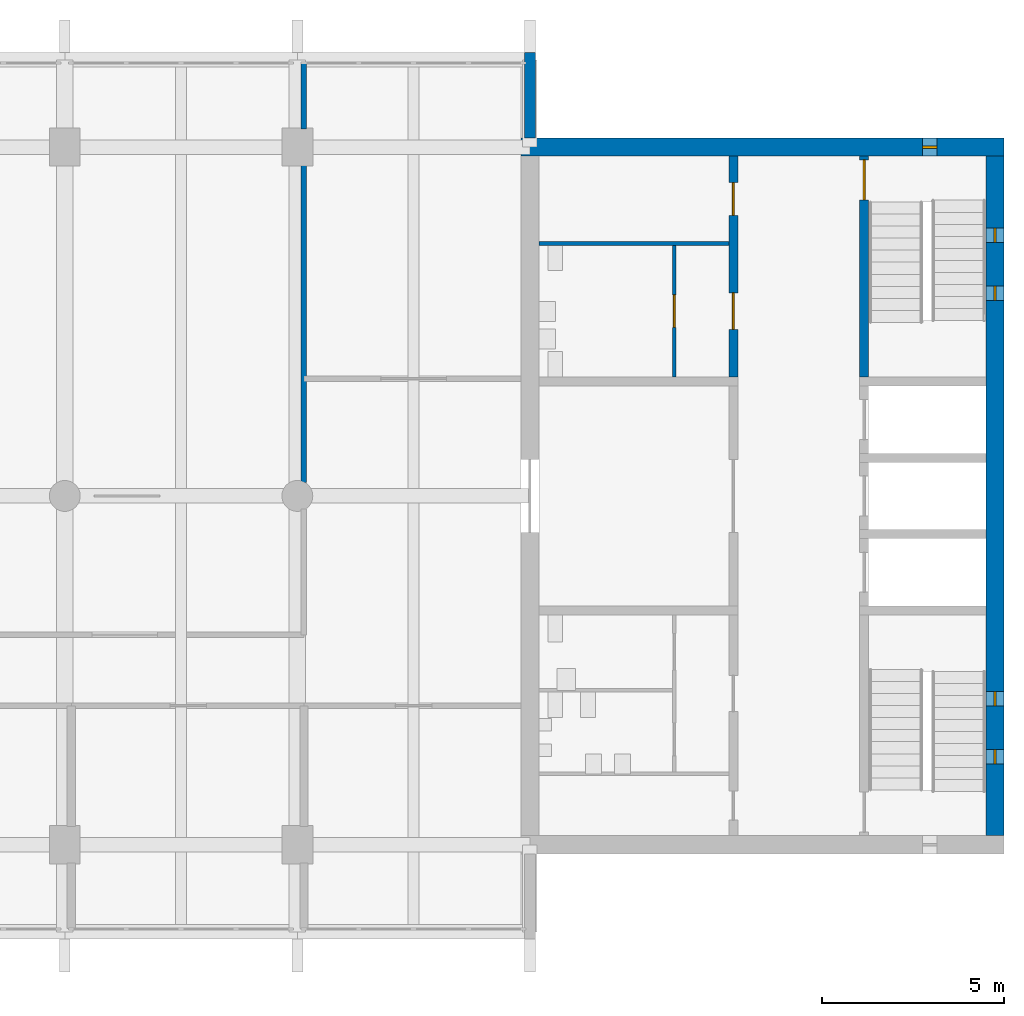
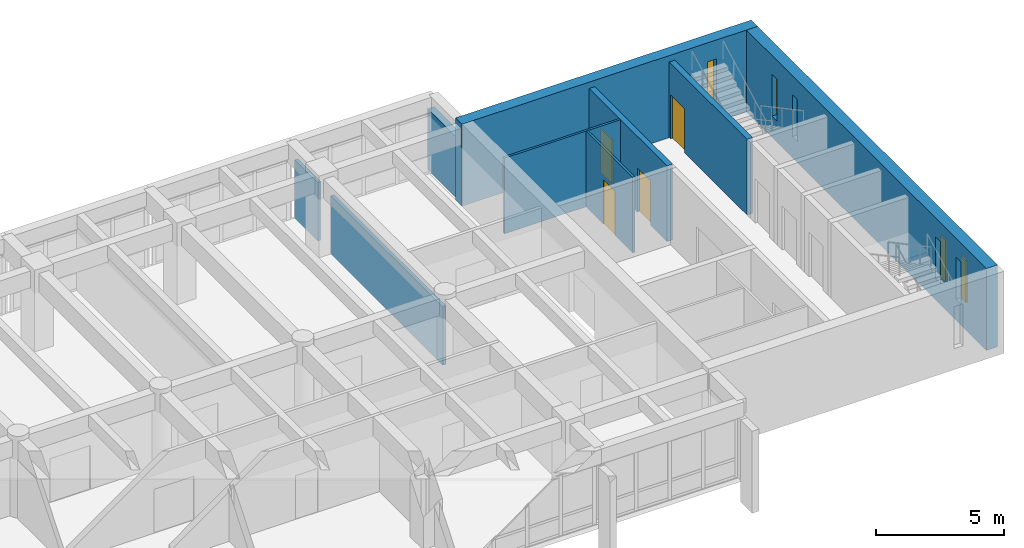
# One storey, part 12 of 15: 9 walls, 5 windows, 4 doors, 9 openings.
"""IFC4 building model written with IfcOpenShell, lengths in metres."""

from ifc_helpers import new_model, si_unit, direction, frame, frame_2d, origin, place, context, subcontext, project, spatial, rectangle, extrude, material, layer, layer_set, type_object, element, fill, save


model = new_model("IFC4")

# Units and contexts
model_context = context("Model", 3, precision=1e-05, world=origin(), true_north=direction((0.0, 1.0)))
body_context = subcontext(model_context, "Body", "Model", "MODEL_VIEW")
ifc_project = project(units=[si_unit("LENGTHUNIT", "METRE"), si_unit("AREAUNIT", "SQUARE_METRE"), si_unit("VOLUMEUNIT", "CUBIC_METRE"), si_unit("PLANEANGLEUNIT", "RADIAN"), si_unit("MASSUNIT", "GRAM", prefix="KILO")], contexts=[model_context])

# Site, building, storey
site_placement = place(None, origin())
site = spatial("IfcSite", under=ifc_project, at=site_placement, CompositionType="ELEMENT")
building_placement = place(site_placement, origin())
building = spatial("IfcBuilding", under=site, at=building_placement, Name="Fogon Plaza Fire Station and Headquarters Tower", CompositionType="ELEMENT")
storey_placement = place(building_placement, frame((0.0, 0.0, 56.10009765625)))
storey = spatial("IfcBuildingStorey", under=building, at=storey_placement, Name="L14", CompositionType="ELEMENT", Elevation=56.10009765625)

# Wall, opening, door
ifc_material_1 = material(Name="Concrete C40", Category="concrete")
ifc_layer_1 = layer(ifc_material_1, 0.25)
ifc_layer_set_1 = layer_set([ifc_layer_1], Name="Concrete C40")
wall_type_1 = type_object("IfcWallType", Name="Core Wall RC 250", PredefinedType="SOLIDWALL", material=ifc_layer_set_1)
wall_1_placement = place(storey_placement, frame((73.199951171875, 46.47509765625, 0.0), z_axis=(0.0, 0.0, 1.0), x_axis=(0.0, 1.0, 0.0)))
wall_1 = element("IfcWall", 1, at=wall_1_placement, inside=storey, type_object=wall_type_1, Name="Core B shaft wall", PredefinedType="SOLIDWALL", context=body_context, shape_type="SweptSolid", body=[
    extrude(rectangle(XDim=6.074951171875, YDim=0.25, at=frame_2d((3.03759765625, 0.0))), origin(), (0.0, 0.0, 1.0), 3.599853515625),
])
opening_1_placement = place(wall_1_placement, frame((4.875, 0.0, 0.0)))
opening_1 = element("IfcOpeningElement", 2, at=opening_1_placement, cuts=wall_1, Name="Opening L14-D16", PredefinedType="OPENING", context=body_context, shape_type="SweptSolid", body=[
    extrude(rectangle(XDim=1.10009765625, YDim=2.10009765625, at=frame_2d((0.550048828125, 1.050048828125))), frame((0.0, 0.135009765625, 0.0), z_axis=(0.0, -1.0, 0.0), x_axis=(1.0, 0.0, 0.0)), (0.0, 0.0, 1.0), 0.27001953125),
])
ifc_material_2 = material(Name="Steel Fire Door Leaf", Category="steel")
door_type_1 = type_object("IfcDoorType", Name="Stair Door Single 1100x2100", OperationType="SINGLE_SWING_LEFT", PredefinedType="DOOR", material=ifc_material_2)
door_1_placement = place(opening_1_placement, frame((1.10009765625, 0.0, 0.0), z_axis=(0.0, 0.0, 1.0), x_axis=(-1.0, 0.0, 0.0)))
door_1 = element("IfcDoor", 3, at=door_1_placement, inside=storey, type_object=door_type_1, Name="Stair door ST4", OperationType="SINGLE_SWING_LEFT", OverallHeight=2.10009765625, OverallWidth=1.10009765625, PredefinedType="DOOR", context=body_context, shape_type="SweptSolid", body=[
    extrude(rectangle(XDim=1.10009765625, YDim=2.10009765625, at=frame_2d((0.550048828125, 1.050048828125))), frame((0.0, 0.02490234375, 0.0), z_axis=(0.0, -1.0, 0.0), x_axis=(1.0, 0.0, 0.0)), (0.0, 0.0, 1.0), 0.050048828125),
])
fill(opening_1, door_1)

# Wall, openings, doors
wall_2_placement = place(storey_placement, frame((69.60009765625, 46.47509765625, 0.0), z_axis=(0.0, 0.0, 1.0), x_axis=(0.0, 1.0, 0.0)))
wall_2 = element("IfcWall", 4, at=wall_2_placement, inside=storey, type_object=wall_type_1, Name="Core B shaft wall", PredefinedType="SOLIDWALL", context=body_context, shape_type="SweptSolid", body=[
    extrude(rectangle(XDim=6.074951171875, YDim=0.25, at=frame_2d((3.03759765625, 0.0))), origin(), (0.0, 0.0, 1.0), 3.599853515625),
])
opening_2_placement = place(wall_2_placement, frame((1.3125, 0.0, 0.0)))
opening_2 = element("IfcOpeningElement", 5, at=opening_2_placement, cuts=wall_2, Name="Opening L14-D26", PredefinedType="OPENING", context=body_context, shape_type="SweptSolid", body=[
    extrude(rectangle(XDim=1.0, YDim=2.10009765625, at=frame_2d((0.5, 1.050048828125))), frame((0.0, 0.135009765625, 0.0), z_axis=(0.0, -1.0, 0.0), x_axis=(1.0, 0.0, 0.0)), (0.0, 0.0, 1.0), 0.27001953125),
])
opening_3_placement = place(wall_2_placement, frame((4.449951171875, 0.0, 0.0)))
opening_3 = element("IfcOpeningElement", 6, at=opening_3_placement, cuts=wall_2, Name="Opening L14-D28", PredefinedType="OPENING", context=body_context, shape_type="SweptSolid", body=[
    extrude(rectangle(XDim=0.89990234375, YDim=2.10009765625, at=frame_2d((0.449951171875, 1.050048828125))), frame((0.0, 0.135009765625, 0.0), z_axis=(0.0, -1.0, 0.0), x_axis=(1.0, 0.0, 0.0)), (0.0, 0.0, 1.0), 0.27001953125),
])
ifc_material_3 = material(Name="Steel Fire Door Leaf", Category="steel")
door_type_2 = type_object("IfcDoorType", Name="Riser Single 900x2100", OperationType="SINGLE_SWING_LEFT", PredefinedType="DOOR", material=ifc_material_3)
door_2_placement = place(opening_3_placement, origin())
door_2 = element("IfcDoor", 7, at=door_2_placement, inside=storey, type_object=door_type_2, Name="Riser room B door", OperationType="SINGLE_SWING_LEFT", OverallHeight=2.10009765625, OverallWidth=0.89990234375, PredefinedType="DOOR", context=body_context, shape_type="SweptSolid", body=[
    extrude(rectangle(XDim=0.89990234375, YDim=2.10009765625, at=frame_2d((0.449951171875, 1.050048828125))), frame((0.0, 0.02490234375, 0.0), z_axis=(0.0, -1.0, 0.0), x_axis=(1.0, 0.0, 0.0)), (0.0, 0.0, 1.0), 0.050048828125),
])
fill(opening_3, door_2)
ifc_material_4 = material(Name="Timber fire door", Category="wood")
door_type_3 = type_object("IfcDoorType", Name="WC Lobby Single 1000x2100", OperationType="SINGLE_SWING_LEFT", PredefinedType="DOOR", material=ifc_material_4)
door_3_placement = place(opening_2_placement, origin())
door_3 = element("IfcDoor", 8, at=door_3_placement, inside=storey, type_object=door_type_3, Name="Women's WC lobby B door", OperationType="SINGLE_SWING_LEFT", OverallHeight=2.10009765625, OverallWidth=1.0, PredefinedType="DOOR", context=body_context, shape_type="SweptSolid", body=[
    extrude(rectangle(XDim=1.0, YDim=2.10009765625, at=frame_2d((0.5, 1.050048828125))), frame((0.0, 0.02490234375, 0.0), z_axis=(0.0, -1.0, 0.0), x_axis=(1.0, 0.0, 0.0)), (0.0, 0.0, 1.0), 0.050048828125),
])
fill(opening_2, door_3)

# Wall
ifc_material_5 = material(Name="Concrete C40", Category="concrete")
ifc_layer_2 = layer(ifc_material_5, 0.300048828125)
ifc_layer_set_2 = layer_set([ifc_layer_2], Name="Concrete C40")
wall_type_2 = type_object("IfcWallType", Name="Fair-faced RC Return Panel 300", PredefinedType="SOLIDWALL", material=ifc_layer_set_2)
wall_3_placement = place(storey_placement, frame((64.0, 53.050048828125, 0.0), z_axis=(0.0, 0.0, 1.0), x_axis=(0.0, 1.0, 0.0)))
element("IfcWall", 9, at=wall_3_placement, inside=storey, type_object=wall_type_2, Name="Bar end return EN L14", PredefinedType="SOLIDWALL", context=body_context, shape_type="SweptSolid", body=[
    extrude(rectangle(XDim=2.349853515625, YDim=0.300048828125, at=frame_2d((1.1748046875, 0.0))), origin(), (0.0, 0.0, 1.0), 2.8798828125),
])

# Wall, opening, door
ifc_material_6 = material(Name="Blockwork", Category="masonry")
ifc_layer_3 = layer(ifc_material_6, 0.10009765625)
ifc_layer_set_3 = layer_set([ifc_layer_3], Name="Blockwork")
wall_type_3 = type_object("IfcWallType", Name="Partition Blockwork 100", PredefinedType="PARTITIONING", material=ifc_layer_set_3)
wall_4_placement = place(storey_placement, frame((67.97509765625, 46.47509765625, 0.0), z_axis=(0.0, 0.0, 1.0), x_axis=(0.0, 1.0, 0.0)))
wall_4 = element("IfcWall", 10, at=wall_4_placement, inside=storey, type_object=wall_type_3, Name="WC block partition", PredefinedType="PARTITIONING", context=body_context, shape_type="SweptSolid", body=[
    extrude(rectangle(XDim=3.625, YDim=0.10009765625, at=frame_2d((1.8125, 0.0))), origin(), (0.0, 0.0, 1.0), 3.599853515625),
])
opening_4_placement = place(wall_4_placement, frame((1.362548828125, 0.0, 0.0)))
opening_4 = element("IfcOpeningElement", 11, at=opening_4_placement, cuts=wall_4, Name="Opening L14-D27", PredefinedType="OPENING", context=body_context, shape_type="SweptSolid", body=[
    extrude(rectangle(XDim=0.89990234375, YDim=2.10009765625, at=frame_2d((0.449951171875, 1.050048828125))), frame((0.0, 0.06005859375, 0.0), z_axis=(0.0, -1.0, 0.0), x_axis=(1.0, 0.0, 0.0)), (0.0, 0.0, 1.0), 0.1201171875),
])
ifc_material_7 = material(Name="Timber Door Leaf", Category="wood")
door_type_4 = type_object("IfcDoorType", Name="WC Single 900x2100", OperationType="SINGLE_SWING_LEFT", PredefinedType="DOOR", material=ifc_material_7)
door_4_placement = place(opening_4_placement, origin())
door_4 = element("IfcDoor", 12, at=door_4_placement, inside=storey, type_object=door_type_4, Name="Women's WC B door", OperationType="SINGLE_SWING_RIGHT", OverallHeight=2.10009765625, OverallWidth=0.89990234375, PredefinedType="DOOR", context=body_context, shape_type="SweptSolid", body=[
    extrude(rectangle(XDim=0.89990234375, YDim=2.10009765625, at=frame_2d((0.449951171875, 1.050048828125))), frame((0.0, 0.02490234375, 0.0), z_axis=(0.0, -1.0, 0.0), x_axis=(1.0, 0.0, 0.0)), (0.0, 0.0, 1.0), 0.050048828125),
])
fill(opening_4, door_4)

# Wall
ifc_material_8 = material(Name="Blockwork", Category="masonry")
ifc_layer_4 = layer(ifc_material_8, 0.10009765625)
ifc_layer_set_4 = layer_set([ifc_layer_4], Name="Blockwork")
wall_type_4 = type_object("IfcWallType", Name="Riser Partition Blockwork 100", PredefinedType="PARTITIONING", material=ifc_layer_set_4)
wall_5_placement = place(storey_placement, frame((69.47509765625, 50.14990234375, 0.0), z_axis=(0.0, 0.0, 1.0), x_axis=(-1.0, 0.0, 0.0)))
element("IfcWall", 13, at=wall_5_placement, inside=storey, type_object=wall_type_4, Name="Riser room partition", PredefinedType="PARTITIONING", context=body_context, shape_type="SweptSolid", body=[
    extrude(rectangle(XDim=5.22509765625, YDim=0.10009765625, at=frame_2d((2.612548828125, 0.0))), origin(), (0.0, 0.0, 1.0), 3.599853515625),
])

# Wall, opening, window
ifc_material_9 = material(Name="Concrete C40", Category="concrete")
ifc_layer_5 = layer(ifc_material_9, 0.5)
ifc_layer_set_5 = layer_set([ifc_layer_5], Name="Concrete C40")
wall_type_5 = type_object("IfcWallType", Name="Shear wall 500 SW50", PredefinedType="SHEAR", material=ifc_layer_set_5)
wall_6_placement = place(storey_placement, frame((63.75, 52.800048828125, 0.0), z_axis=(0.0, 0.0, 1.0), x_axis=(1.0, 0.0, 0.0)))
wall_6 = element("IfcWall", 14, at=wall_6_placement, inside=storey, type_object=wall_type_5, Name="wall-coreB-N-L14", PredefinedType="SHEAR", context=body_context, shape_type="SweptSolid", body=[
    extrude(rectangle(XDim=13.300048828125, YDim=0.5, at=frame_2d((6.64990234375, 0.0))), origin(), (0.0, 0.0, 1.0), 3.89990234375),
])
opening_5_placement = place(wall_6_placement, frame((11.050048828125, 0.0, 1.0)))
opening_5 = element("IfcOpeningElement", 15, at=opening_5_placement, cuts=wall_6, Name="Opening WS1", PredefinedType="OPENING", context=body_context, shape_type="SweptSolid", body=[
    extrude(rectangle(XDim=0.39990234375, YDim=2.0, at=frame_2d((0.199951171875, 1.0))), frame((0.0, 0.260009765625, 0.0), z_axis=(0.0, -1.0, 0.0), x_axis=(1.0, 0.0, 0.0)), (0.0, 0.0, 1.0), 0.52001953125),
])
ifc_material_10 = material(Name="Aluminium framed double glazing", Category="aluminium")
window_type = type_object("IfcWindowType", Name="Slit Window WS1 400x2000", PartitioningType="SINGLE_PANEL", PredefinedType="WINDOW", material=ifc_material_10)
window_1_placement = place(opening_5_placement, origin())
window_1 = element("IfcWindow", 16, at=window_1_placement, inside=storey, type_object=window_type, Name="Slit window B6 L14", OverallHeight=2.0, OverallWidth=0.39990234375, PartitioningType="SINGLE_PANEL", PredefinedType="WINDOW", context=body_context, shape_type="SweptSolid", body=[
    extrude(rectangle(XDim=0.39990234375, YDim=2.0, at=frame_2d((0.199951171875, 1.0))), frame((0.0, 0.030029296875, 0.0), z_axis=(0.0, -1.0, 0.0), x_axis=(1.0, 0.0, 0.0)), (0.0, 0.0, 1.0), 0.06005859375),
])
fill(opening_5, window_1)

# Wall, openings, windows
wall_7_placement = place(storey_placement, frame((76.800048828125, 33.85009765625, 0.0), z_axis=(0.0, 0.0, 1.0), x_axis=(0.0, 1.0, 0.0)))
wall_7 = element("IfcWall", 17, at=wall_7_placement, inside=storey, type_object=wall_type_5, Name="wall-coreB-E-L14", PredefinedType="SHEAR", context=body_context, shape_type="SweptSolid", body=[
    extrude(rectangle(XDim=18.699951171875, YDim=0.5, at=frame_2d((9.35009765625, 0.0))), origin(), (0.0, 0.0, 1.0), 3.89990234375),
])
opening_6_placement = place(wall_7_placement, frame((1.97509765625, 0.0, 1.0)))
opening_6 = element("IfcOpeningElement", 18, at=opening_6_placement, cuts=wall_7, Name="Opening WS1", PredefinedType="OPENING", context=body_context, shape_type="SweptSolid", body=[
    extrude(rectangle(XDim=0.39990234375, YDim=2.0, at=frame_2d((0.199951171875, 1.0))), frame((0.0, 0.260009765625, 0.0), z_axis=(0.0, -1.0, 0.0), x_axis=(1.0, 0.0, 0.0)), (0.0, 0.0, 1.0), 0.52001953125),
])
opening_7_placement = place(wall_7_placement, frame((3.574951171875, 0.0, 1.0)))
opening_7 = element("IfcOpeningElement", 19, at=opening_7_placement, cuts=wall_7, Name="Opening WS1", PredefinedType="OPENING", context=body_context, shape_type="SweptSolid", body=[
    extrude(rectangle(XDim=0.39990234375, YDim=2.0, at=frame_2d((0.199951171875, 1.0))), frame((0.0, 0.260009765625, 0.0), z_axis=(0.0, -1.0, 0.0), x_axis=(1.0, 0.0, 0.0)), (0.0, 0.0, 1.0), 0.52001953125),
])
opening_8_placement = place(wall_7_placement, frame((14.72509765625, 0.0, 1.0)))
opening_8 = element("IfcOpeningElement", 20, at=opening_8_placement, cuts=wall_7, Name="Opening WS1", PredefinedType="OPENING", context=body_context, shape_type="SweptSolid", body=[
    extrude(rectangle(XDim=0.39990234375, YDim=2.0, at=frame_2d((0.199951171875, 1.0))), frame((0.0, 0.260009765625, 0.0), z_axis=(0.0, -1.0, 0.0), x_axis=(1.0, 0.0, 0.0)), (0.0, 0.0, 1.0), 0.52001953125),
])
opening_9_placement = place(wall_7_placement, frame((16.324951171875, 0.0, 1.0)))
opening_9 = element("IfcOpeningElement", 21, at=opening_9_placement, cuts=wall_7, Name="Opening WS1", PredefinedType="OPENING", context=body_context, shape_type="SweptSolid", body=[
    extrude(rectangle(XDim=0.39990234375, YDim=2.0, at=frame_2d((0.199951171875, 1.0))), frame((0.0, 0.260009765625, 0.0), z_axis=(0.0, -1.0, 0.0), x_axis=(1.0, 0.0, 0.0)), (0.0, 0.0, 1.0), 0.52001953125),
])
window_2_placement = place(opening_6_placement, origin())
window_2 = element("IfcWindow", 22, at=window_2_placement, inside=storey, type_object=window_type, Name="Slit window B1 L14", OverallHeight=2.0, OverallWidth=0.39990234375, PartitioningType="SINGLE_PANEL", PredefinedType="WINDOW", context=body_context, shape_type="SweptSolid", body=[
    extrude(rectangle(XDim=0.39990234375, YDim=2.0, at=frame_2d((0.199951171875, 1.0))), frame((0.0, 0.030029296875, 0.0), z_axis=(0.0, -1.0, 0.0), x_axis=(1.0, 0.0, 0.0)), (0.0, 0.0, 1.0), 0.06005859375),
])
fill(opening_6, window_2)
window_3_placement = place(opening_7_placement, origin())
window_3 = element("IfcWindow", 23, at=window_3_placement, inside=storey, type_object=window_type, Name="Slit window B2 L14", OverallHeight=2.0, OverallWidth=0.39990234375, PartitioningType="SINGLE_PANEL", PredefinedType="WINDOW", context=body_context, shape_type="SweptSolid", body=[
    extrude(rectangle(XDim=0.39990234375, YDim=2.0, at=frame_2d((0.199951171875, 1.0))), frame((0.0, 0.030029296875, 0.0), z_axis=(0.0, -1.0, 0.0), x_axis=(1.0, 0.0, 0.0)), (0.0, 0.0, 1.0), 0.06005859375),
])
fill(opening_7, window_3)
window_4_placement = place(opening_8_placement, origin())
window_4 = element("IfcWindow", 24, at=window_4_placement, inside=storey, type_object=window_type, Name="Slit window B3 L14", OverallHeight=2.0, OverallWidth=0.39990234375, PartitioningType="SINGLE_PANEL", PredefinedType="WINDOW", context=body_context, shape_type="SweptSolid", body=[
    extrude(rectangle(XDim=0.39990234375, YDim=2.0, at=frame_2d((0.199951171875, 1.0))), frame((0.0, 0.030029296875, 0.0), z_axis=(0.0, -1.0, 0.0), x_axis=(1.0, 0.0, 0.0)), (0.0, 0.0, 1.0), 0.06005859375),
])
fill(opening_8, window_4)
window_5_placement = place(opening_9_placement, origin())
window_5 = element("IfcWindow", 25, at=window_5_placement, inside=storey, type_object=window_type, Name="Slit window B4 L14", OverallHeight=2.0, OverallWidth=0.39990234375, PartitioningType="SINGLE_PANEL", PredefinedType="WINDOW", context=body_context, shape_type="SweptSolid", body=[
    extrude(rectangle(XDim=0.39990234375, YDim=2.0, at=frame_2d((0.199951171875, 1.0))), frame((0.0, 0.030029296875, 0.0), z_axis=(0.0, -1.0, 0.0), x_axis=(1.0, 0.0, 0.0)), (0.0, 0.0, 1.0), 0.06005859375),
])
fill(opening_9, window_5)

# Walls
ifc_material_11 = material(Name="Gypsum board on steel stud", Category="steel")
ifc_layer_6 = layer(ifc_material_11, 0.14990234375)
ifc_layer_set_6 = layer_set([ifc_layer_6], Name="Gypsum board on steel stud")
wall_type_6 = type_object("IfcWallType", Name="Tower corridor partition 150 EI 60 Beam Head 900", PredefinedType="PARTITIONING", material=ifc_layer_set_6)
wall_8_placement = place(storey_placement, frame((57.780029296875, 43.56494140625, 0.0), z_axis=(0.0, 0.0, 1.0), x_axis=(0.0, 1.0, 0.0)))
element("IfcWall", 26, at=wall_8_placement, inside=storey, type_object=wall_type_6, Name="part-L14-28", PredefinedType="PARTITIONING", context=body_context, shape_type="SweptSolid", body=[
    extrude(rectangle(XDim=8.72998046875, YDim=0.14990234375, at=frame_2d((4.364990234375, 0.0))), origin(), (0.0, 0.0, 1.0), 2.77978515625),
])
wall_9_placement = place(storey_placement, frame((57.780029296875, 53.304931640625, 0.0), z_axis=(0.0, 0.0, 1.0), x_axis=(0.0, 1.0, 0.0)))
element("IfcWall", 27, at=wall_9_placement, inside=storey, type_object=wall_type_6, Name="part-L14-29", PredefinedType="PARTITIONING", context=body_context, shape_type="SweptSolid", body=[
    extrude(rectangle(XDim=1.795166015625, YDim=0.14990234375, at=frame_2d((0.8974609375, 0.0))), origin(), (0.0, 0.0, 1.0), 2.77978515625),
])

save(model, "model.ifc")
